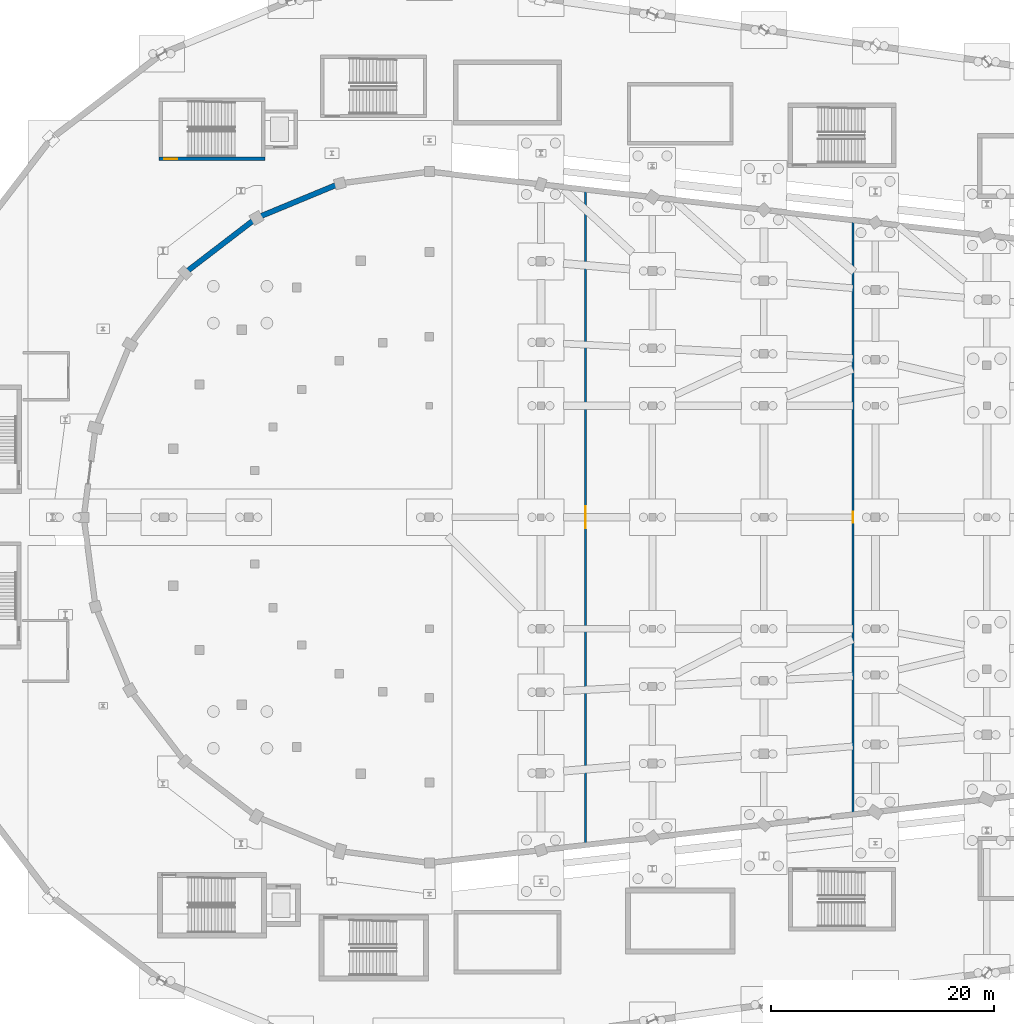
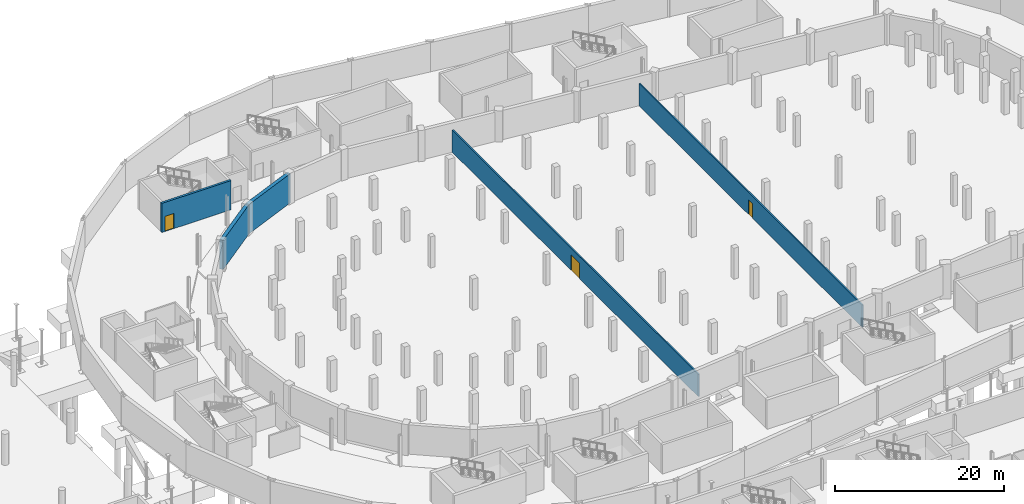
# One storey, part 47 of 55: 5 walls, 3 doors, 3 openings.
"""IFC4 building model written with IfcOpenShell, lengths in metres."""

from ifc_helpers import new_model, si_unit, direction, frame, frame_2d, origin, place, context, subcontext, project, spatial, rectangle, extrude, material, layer, layer_set, type_object, element, fill, save


model = new_model("IFC4")

# Units and contexts
model_context = context("Model", 3, precision=1e-05, world=origin(), true_north=direction((0.0, 1.0)))
body_context = subcontext(model_context, "Body", "Model", "MODEL_VIEW")
ifc_project = project(units=[si_unit("LENGTHUNIT", "METRE"), si_unit("AREAUNIT", "SQUARE_METRE"), si_unit("VOLUMEUNIT", "CUBIC_METRE"), si_unit("PLANEANGLEUNIT", "RADIAN"), si_unit("MASSUNIT", "GRAM", prefix="KILO")], contexts=[model_context])

# Site, building, storey
site_placement = place(None, origin())
site = spatial("IfcSite", under=ifc_project, at=site_placement, CompositionType="ELEMENT")
building_placement = place(site_placement, origin())
building = spatial("IfcBuilding", under=site, at=building_placement, Name="Sohan Crest Arena", CompositionType="ELEMENT")
storey_placement = place(building_placement, frame((0.0, 0.0, -4.5)))
storey = spatial("IfcBuildingStorey", under=building, at=storey_placement, Name="B1", CompositionType="ELEMENT", Elevation=-4.5)

# Wall, opening, door
ifc_material_1 = material(Name="Fire-rated masonry blockwork compartment wall", Category="masonry")
ifc_layer_1 = layer(ifc_material_1, 0.199951171875, Name="Fire-rated masonry blockwork compartment wall")
ifc_layer_set_1 = layer_set([ifc_layer_1], Name="Fire-rated masonry blockwork compartment wall")
wall_type_1 = type_object("IfcWallType", Name="WAL-FW01", PredefinedType="PARTITIONING", material=ifc_layer_set_1)
wall_1_placement = place(storey_placement, frame((112.0, 48.800048828125, 0.0), z_axis=(0.0, 0.0, 1.0), x_axis=(0.0, 1.0, 0.0)))
wall_1 = element("IfcWall", 1, at=wall_1_placement, inside=storey, type_object=wall_type_1, Name="Interior partition wall PW-0829", PredefinedType="PARTITIONING", context=body_context, shape_type="SweptSolid", body=[
    extrude(rectangle(XDim=58.39990234375, YDim=0.199951171875, at=frame_2d((29.199951171875, 0.0))), origin(), (0.0, 0.0, 1.0), 3.219970703125),
])
opening_1_placement = place(wall_1_placement, frame((28.199951171875, 0.0, 0.0)))
opening_1 = element("IfcOpeningElement", 2, at=opening_1_placement, cuts=wall_1, Name="Opening B1D-0223", PredefinedType="OPENING", context=body_context, shape_type="SweptSolid", body=[
    extrude(rectangle(XDim=2.0, YDim=2.25, at=frame_2d((1.0, 1.125))), frame((0.0, 0.10986328125, 0.0), z_axis=(0.0, -1.0, 0.0), x_axis=(1.0, 0.0, 0.0)), (0.0, 0.0, 1.0), 0.219970703125),
])
ifc_material_2 = material(Name="Fire-rated steel concourse compartment door", Category="steel")
door_type_1 = type_object("IfcDoorType", Name="DR-FD02", OperationType="DOUBLE_DOOR_SINGLE_SWING", PredefinedType="DOOR", material=ifc_material_2)
door_1_placement = place(opening_1_placement, origin())
door_1 = element("IfcDoor", 3, at=door_1_placement, inside=storey, type_object=door_type_1, Name="Plant compartment door B1D-0223", OperationType="DOUBLE_DOOR_SINGLE_SWING", OverallHeight=2.25, OverallWidth=2.0, PredefinedType="DOOR", context=body_context, shape_type="SweptSolid", body=[
    extrude(rectangle(XDim=2.0, YDim=2.25, at=frame_2d((1.0, 1.125))), frame((0.0, 0.02490234375, 0.0), z_axis=(0.0, -1.0, 0.0), x_axis=(1.0, 0.0, 0.0)), (0.0, 0.0, 1.0), 0.050048828125),
])
fill(opening_1, door_1)

ifc_material_3 = material(Name="Back-of-house masonry room partition", Category="masonry")
ifc_layer_2 = layer(ifc_material_3, 0.179931640625, Name="Back-of-house masonry room partition")
ifc_layer_set_2 = layer_set([ifc_layer_2], Name="Back-of-house masonry room partition")
wall_type_2 = type_object("IfcWallType", Name="WAL-PW05", PredefinedType="PARTITIONING", material=ifc_layer_set_2)
wall_2_placement = place(storey_placement, frame((136.0, 51.5, 0.0), z_axis=(0.0, 0.0, 1.0), x_axis=(0.0, 1.0, 0.0)))
wall_2 = element("IfcWall", 4, at=wall_2_placement, inside=storey, type_object=wall_type_2, Name="Interior partition wall PW-0830", PredefinedType="PARTITIONING", context=body_context, shape_type="SweptSolid", body=[
    extrude(rectangle(XDim=53.0, YDim=0.179931640625, at=frame_2d((26.5, 0.0))), origin(), (0.0, 0.0, 1.0), 3.219970703125),
])
opening_2_placement = place(wall_2_placement, frame((26.010009765625, 0.0, 0.0)))
opening_2 = element("IfcOpeningElement", 5, at=opening_2_placement, cuts=wall_2, Name="Opening B1D-0224", PredefinedType="OPENING", context=body_context, shape_type="SweptSolid", body=[
    extrude(rectangle(XDim=0.97998046875, YDim=2.14990234375, at=frame_2d((0.489990234375, 1.074951171875))), frame((0.0, 0.099853515625, 0.0), z_axis=(0.0, -1.0, 0.0), x_axis=(1.0, 0.0, 0.0)), (0.0, 0.0, 1.0), 0.199951171875),
])
ifc_material_4 = material(Name="Fire-rated plant and store room door", Category="wood")
door_type_2 = type_object("IfcDoorType", Name="DR-FD06", OperationType="NOTDEFINED", PredefinedType="DOOR", material=ifc_material_4)
door_2_placement = place(opening_2_placement, origin())
door_2 = element("IfcDoor", 6, at=door_2_placement, inside=storey, type_object=door_type_2, Name="Store room door B1D-0224", OperationType="SINGLE_SWING_LEFT", OverallHeight=2.14990234375, OverallWidth=0.97998046875, PredefinedType="DOOR", context=body_context, shape_type="SweptSolid", body=[
    extrude(rectangle(XDim=0.97998046875, YDim=2.14990234375, at=frame_2d((0.489990234375, 1.074951171875))), frame((0.0, 0.02490234375, 0.0), z_axis=(0.0, -1.0, 0.0), x_axis=(1.0, 0.0, 0.0)), (0.0, 0.0, 1.0), 0.050048828125),
])
fill(opening_2, door_2)

# Walls
ifc_material_5 = material(Name="Concrete C40/50", Category="concrete")
ifc_layer_3 = layer(ifc_material_5, 0.47998046875, Name="Concrete C40/50")
ifc_layer_set_3 = layer_set([ifc_layer_3], Name="Concrete C40/50")
wall_type_3 = type_object("IfcWallType", Name="WAL-RW02", PredefinedType="USERDEFINED", material=ifc_layer_set_3)
wall_3_placement = place(storey_placement, frame((89.97705078125, 107.944091796875, 0.0), z_axis=(0.0, 0.0, 1.0), x_axis=(-0.923876381497, -0.382691039498, 0.0)))
element("IfcWall", 7, at=wall_3_placement, inside=storey, type_object=wall_type_3, Name="External wall RW-002", ObjectType="RETAINING WALL", PredefinedType="USERDEFINED", context=body_context, shape_type="SweptSolid", body=[
    extrude(rectangle(XDim=8.093017578125, YDim=0.47998046875, at=frame_2d((4.04638671875, 0.0))), origin(), (0.0, 0.0, 1.0), 4.25),
])
wall_4_placement = place(storey_placement, frame((82.5, 104.846923828125, 0.0), z_axis=(0.0, 0.0, 1.0), x_axis=(-0.793304243257, -0.608825408167, 0.0)))
element("IfcWall", 8, at=wall_4_placement, inside=storey, type_object=wall_type_3, Name="External wall RW-003", ObjectType="RETAINING WALL", PredefinedType="USERDEFINED", context=body_context, shape_type="SweptSolid", body=[
    extrude(rectangle(XDim=8.092529296875, YDim=0.47998046875, at=frame_2d((4.04638671875, 0.0))), origin(), (0.0, 0.0, 1.0), 4.25),
])

# Wall, opening, door
ifc_layer_4 = layer(ifc_material_5, 0.300048828125, Name="Concrete C40/50")
ifc_layer_set_4 = layer_set([ifc_layer_4], Name="Concrete C40/50")
wall_type_4 = type_object("IfcWallType", Name="WAL-SW01", PredefinedType="SHEAR", material=ifc_layer_set_4)
wall_5_placement = place(storey_placement, frame((73.75, 110.14990234375, 0.0), z_axis=(0.0, 0.0, 1.0), x_axis=(1.0, 0.0, 0.0)))
wall_5 = element("IfcWall", 9, at=wall_5_placement, inside=storey, type_object=wall_type_4, Name="Core shear wall SW-0192", PredefinedType="SHEAR", context=body_context, shape_type="SweptSolid", body=[
    extrude(rectangle(XDim=9.5, YDim=0.300048828125, at=frame_2d((4.75, 0.0))), origin(), (0.0, 0.0, 1.0), 4.22509765625),
])
opening_3_placement = place(wall_5_placement, frame((0.449951171875, 0.0, 0.0)))
opening_3 = element("IfcOpeningElement", 10, at=opening_3_placement, cuts=wall_5, Name="Opening SD-0057", PredefinedType="OPENING", context=body_context, shape_type="SweptSolid", body=[
    extrude(rectangle(XDim=1.199951171875, YDim=2.199951171875, at=frame_2d((0.60009765625, 1.10009765625))), frame((0.0, 0.159912109375, 0.0), z_axis=(0.0, -1.0, 0.0), x_axis=(1.0, 0.0, 0.0)), (0.0, 0.0, 1.0), 0.320068359375),
])
ifc_material_6 = material(Name="Fire-rated steel stair and lobby door", Category="steel")
door_type_3 = type_object("IfcDoorType", Name="DR-FD04", OperationType="NOTDEFINED", PredefinedType="DOOR", material=ifc_material_6)
door_3_placement = place(opening_3_placement, frame((1.199951171875, 0.0, 0.0), z_axis=(0.0, 0.0, 1.0), x_axis=(-1.0, 0.0, 0.0)))
door_3 = element("IfcDoor", 11, at=door_3_placement, inside=storey, type_object=door_type_3, Name="Protected stair door SD-0057", OperationType="SINGLE_SWING_RIGHT", OverallHeight=2.199951171875, OverallWidth=1.199951171875, PredefinedType="DOOR", context=body_context, shape_type="SweptSolid", body=[
    extrude(rectangle(XDim=1.199951171875, YDim=2.199951171875, at=frame_2d((0.60009765625, 1.10009765625))), frame((0.0, 0.02490234375, 0.0), z_axis=(0.0, -1.0, 0.0), x_axis=(1.0, 0.0, 0.0)), (0.0, 0.0, 1.0), 0.050048828125),
])
fill(opening_3, door_3)

save(model, "model.ifc")
